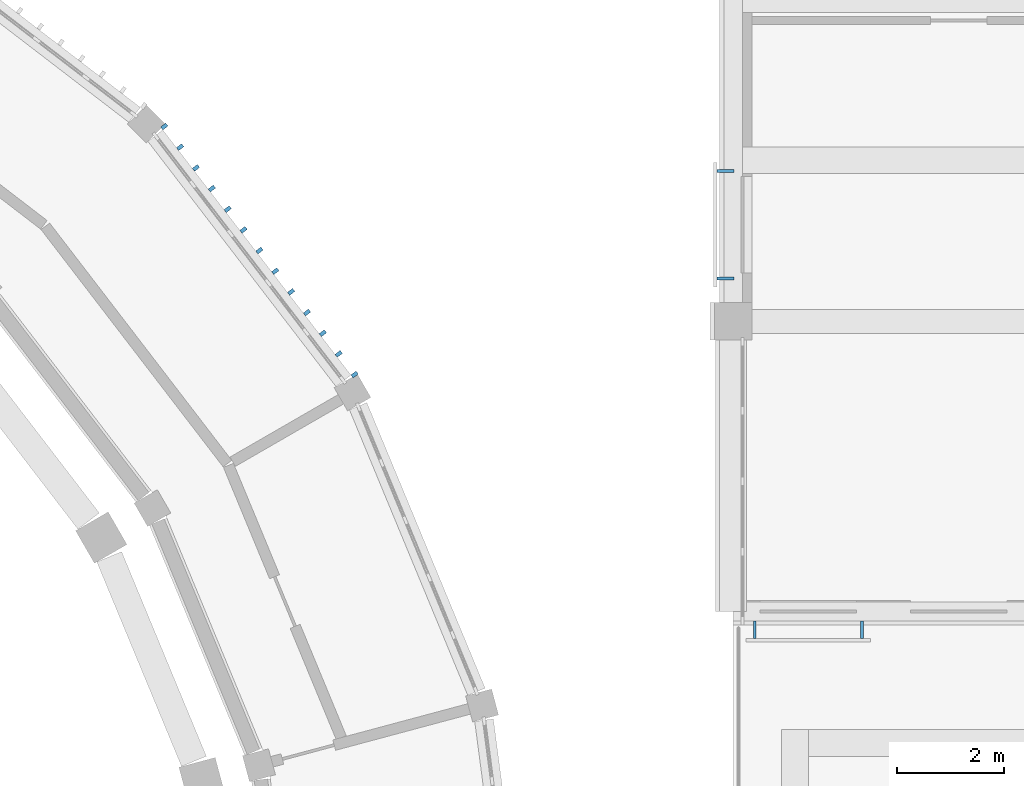
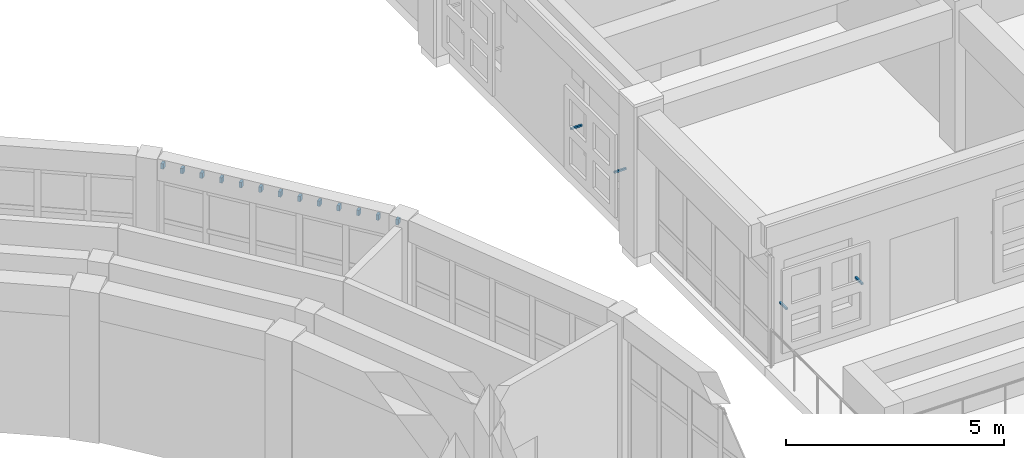
# One storey, part 78 of 99: 17 discrete accessories.
"""IFC4 building model written with IfcOpenShell, lengths in metres."""

from ifc_helpers import new_model, si_unit, direction, frame, origin, origin_2d, place, context, subcontext, project, spatial, rectangle, extrude, material, type_object, element, save


model = new_model("IFC4")

# Units and contexts
model_context = context("Model", 3, precision=1e-05, world=origin(), true_north=direction((0.0, 1.0)))
body_context = subcontext(model_context, "Body", "Model", "MODEL_VIEW")
ifc_project = project(units=[si_unit("LENGTHUNIT", "METRE"), si_unit("AREAUNIT", "SQUARE_METRE"), si_unit("VOLUMEUNIT", "CUBIC_METRE"), si_unit("PLANEANGLEUNIT", "RADIAN"), si_unit("MASSUNIT", "GRAM", prefix="KILO")], contexts=[model_context])

# Site, building, storey
site_placement = place(None, origin())
site = spatial("IfcSite", under=ifc_project, at=site_placement, CompositionType="ELEMENT")
building_placement = place(site_placement, origin())
building = spatial("IfcBuilding", under=site, at=building_placement, Name="Wasatch Bagh Community Centre", CompositionType="ELEMENT")
storey_placement = place(building_placement, frame((0.0, 0.0, 4.199951171875)))
storey = spatial("IfcBuildingStorey", under=building, at=storey_placement, Name="L01", CompositionType="ELEMENT", Elevation=4.199951171875)

# Discrete accessories
ifc_material_1 = material(Name="ASTM A36 steel", Category="steel")
discrete_accessory_type_1 = type_object("IfcDiscreteAccessoryType", Name="Drum fin bracket", PredefinedType="BRACKET", material=ifc_material_1)
for number, where, z_axis, x_axis, name in (
    (1, (56.953369140625, 77.410400390625, 3.675048828125), (0.0, 0.0, 1.0), (-0.608761429009, 0.793353340291, 0.0), "Fin bracket 21.1.2"),
    (2, (56.658203125, 77.795166015625, 3.675048828125), (0.0, 0.0, 1.0), (-0.608761429009, 0.793353340291, 0.0), "Fin bracket 21.2.2"),
    (3, (56.36279296875, 78.179931640625, 3.675048828125), (0.0, 0.0, 1.0), (-0.608761429009, 0.793353340291, 0.0), "Fin bracket 21.3.2"),
    (4, (56.067626953125, 78.564697265625, 3.675048828125), (0.0, 0.0, 1.0), (-0.608761429009, 0.793353340291, 0.0), "Fin bracket 21.4.2"),
    (5, (55.7724609375, 78.949462890625, 3.675048828125), (0.0, 0.0, 1.0), (-0.608761429009, 0.793353340291, 0.0), "Fin bracket 21.5.2"),
    (6, (55.477294921875, 79.334228515625, 3.675048828125), (0.0, 0.0, 1.0), (-0.608761429009, 0.793353340291, 0.0), "Fin bracket 21.6.2"),
    (7, (55.18212890625, 79.718994140625, 3.675048828125), (0.0, 0.0, 1.0), (-0.608761429009, 0.793353340291, 0.0), "Fin bracket 21.7.2"),
    (8, (54.88671875, 80.103515625, 3.675048828125), (0.0, 0.0, 1.0), (-0.608761429009, 0.793353340291, 0.0), "Fin bracket 21.8.2"),
    (9, (54.591552734375, 80.48828125, 3.675048828125), (0.0, 0.0, 1.0), (-0.608761429009, 0.793353340291, 0.0), "Fin bracket 21.9.2"),
    (10, (54.29638671875, 80.873046875, 3.675048828125), (0.0, 0.0, 1.0), (-0.608761429009, 0.793353340291, 0.0), "Fin bracket 21.10.2"),
    (11, (54.001220703125, 81.2578125, 3.675048828125), (0.0, 0.0, 1.0), (-0.608761429009, 0.793353340291, 0.0), "Fin bracket 21.11.2"),
    (12, (53.705810546875, 81.642578125, 3.675048828125), (0.0, 0.0, 1.0), (-0.608761429009, 0.793353340291, 0.0), "Fin bracket 21.12.2"),
    (13, (53.41064453125, 82.02734375, 3.675048828125), (0.0, 0.0, 1.0), (-0.608761429009, 0.793353340291, 0.0), "Fin bracket 21.13.2"),
):
    element("IfcDiscreteAccessory", number, at=place(storey_placement, frame(where, z_axis=z_axis, x_axis=x_axis)), inside=storey, type_object=discrete_accessory_type_1, Name=name, PredefinedType="BRACKET", context=body_context, shape_type="SweptSolid", body=[
        extrude(rectangle(XDim=0.070068359375, YDim=0.1201171875, at=origin_2d()), origin(), (0.0, 0.0, 1.0), 0.14990234375),
    ])
ifc_material_2 = material(Name="Galvanised steel", Category="steel")
discrete_accessory_type_2 = type_object("IfcDiscreteAccessoryType", Name="LW jali bracket", PredefinedType="BRACKET", material=ifc_material_2)
for number, where, z_axis, x_axis, name in (
    (14, (64.39990234375, 72.659912109375, 1.63525390625), (0.0, 0.0, 1.0), (1.0, 0.0, 0.0), "Jali bracket"),
    (15, (66.39990234375, 72.659912109375, 1.63525390625), (0.0, 0.0, 1.0), (1.0, 0.0, 0.0), "Jali bracket"),
):
    element("IfcDiscreteAccessory", number, at=place(storey_placement, frame(where, z_axis=z_axis, x_axis=x_axis)), inside=storey, type_object=discrete_accessory_type_2, Name=name, PredefinedType="BRACKET", context=body_context, shape_type="SweptSolid", body=[
        extrude(rectangle(XDim=0.050048828125, YDim=0.320068359375, at=origin_2d()), origin(), (0.0, 0.0, 1.0), 0.050048828125),
    ])
for number, where, z_axis, x_axis, name in (
    (16, (63.860107421875, 79.199951171875, 1.63525390625), (0.0, 0.0, 1.0), (1.0, 0.0, 0.0), "Jali bracket"),
    (17, (63.860107421875, 81.199951171875, 1.63525390625), (0.0, 0.0, 1.0), (1.0, 0.0, 0.0), "Jali bracket"),
):
    element("IfcDiscreteAccessory", number, at=place(storey_placement, frame(where, z_axis=z_axis, x_axis=x_axis)), inside=storey, type_object=discrete_accessory_type_2, Name=name, PredefinedType="BRACKET", context=body_context, shape_type="SweptSolid", body=[
        extrude(rectangle(XDim=0.320068359375, YDim=0.050048828125, at=origin_2d()), origin(), (0.0, 0.0, 1.0), 0.050048828125),
    ])

save(model, "model.ifc")
